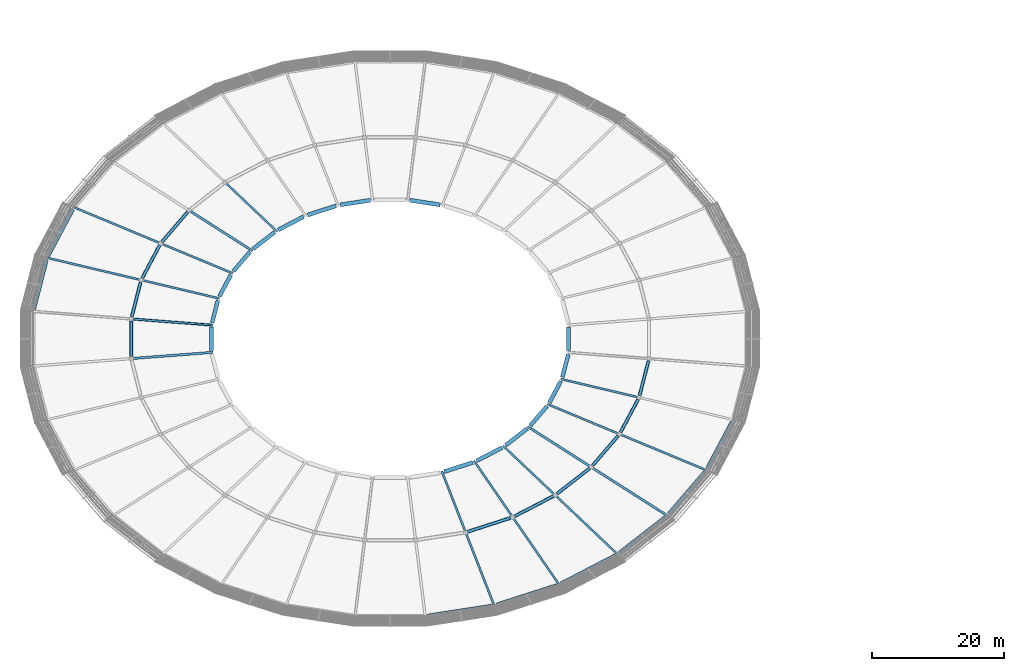
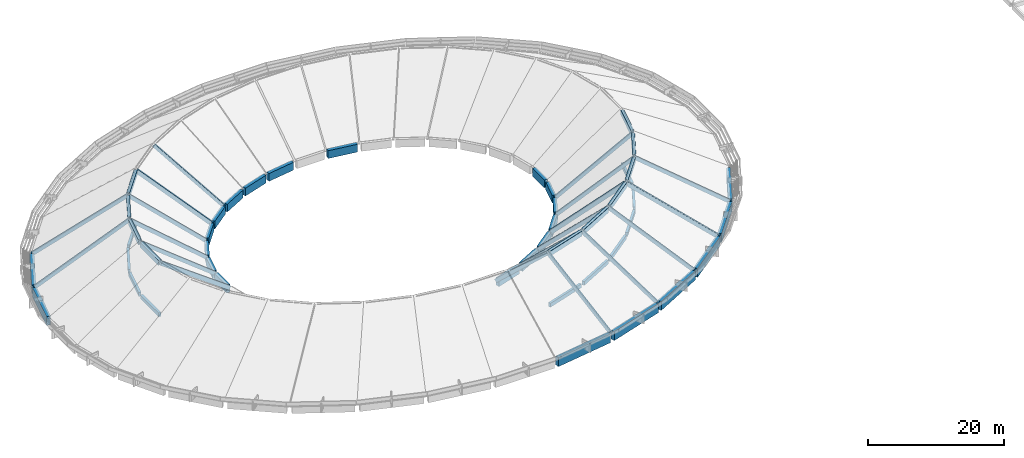
# One storey, part 2 of 15: 63 beams.
"""IFC4 building model written with IfcOpenShell, lengths in metres."""

from ifc_helpers import new_model, si_unit, direction, frame, origin, origin_2d, place, context, subcontext, project, spatial, rectangle, extrude, material, material_profile, profile_set, type_object, element, save


model = new_model("IFC4")

# Units and contexts
model_context = context("Model", 3, precision=1e-05, world=origin(), true_north=direction((0.0, 1.0)))
body_context = subcontext(model_context, "Body", "Model", "MODEL_VIEW")
ifc_project = project(units=[si_unit("LENGTHUNIT", "METRE"), si_unit("AREAUNIT", "SQUARE_METRE"), si_unit("VOLUMEUNIT", "CUBIC_METRE"), si_unit("PLANEANGLEUNIT", "RADIAN"), si_unit("MASSUNIT", "GRAM", prefix="KILO")], contexts=[model_context])

# Site, building, storey
site_placement = place(None, origin())
site = spatial("IfcSite", under=ifc_project, at=site_placement, CompositionType="ELEMENT")
building_placement = place(site_placement, origin())
building = spatial("IfcBuilding", under=site, at=building_placement, Name="Corvandel Quay Wholesale Market", CompositionType="ELEMENT")
storey_placement = place(building_placement, frame((0.0, 0.0, 19.199951171875)))
storey = spatial("IfcBuildingStorey", under=building, at=storey_placement, Name="RF", CompositionType="ELEMENT", Elevation=19.199951171875)

# Beams
ifc_material = material(Name="Precast concrete C45/55", Category="concrete")
ifc_material_profile_1 = material_profile(ifc_material, rectangle(XDim=0.60009765625, YDim=1.39990234375, at=origin_2d()), Name="PC-RING-600x1400")
ifc_profile_set_1 = profile_set([ifc_material_profile_1], Name="Precast concrete C45/55")
beam_type_1 = type_object("IfcBeamType", Name="Inner Yard Shell Ring Beam RB02 600x1400", PredefinedType="USERDEFINED", material=ifc_profile_set_1)
for number, where, z_axis, x_axis, name in (
    (1, (121.559814453125, 62.241943359375, -4.89990234375), (-0.988245423633, 0.15287570987, 0.0), (-0.15287570987, -0.988245423633, 0.0), "Beam BM-0089"),
    (2, (111.02490234375, 62.951171875, -4.89990234375), (-0.988245423633, -0.15287570987, 0.0), (0.15287570987, -0.988245423633, 0.0), "Beam BM-0113"),
):
    element("IfcBeam", number, at=place(storey_placement, frame(where, z_axis=z_axis, x_axis=x_axis)), inside=storey, type_object=beam_type_1, Name=name, ObjectType="GIRDER", PredefinedType="USERDEFINED", context=body_context, shape_type="SweptSolid", body=[
        extrude(rectangle(XDim=0.60009765625, YDim=1.39990234375, at=origin_2d()), origin(), (0.0, 0.0, 1.0), 4.63916015625),
    ])
beam_1_placement = place(storey_placement, frame((105.8193359375, 62.094970703125, -4.89990234375), z_axis=(-0.951794583003, -0.306736159862, 0.0), x_axis=(0.306736159862, -0.951794583003, 0.0)))
element("IfcBeam", 3, at=beam_1_placement, inside=storey, type_object=beam_type_1, Name="Beam BM-0125", ObjectType="GIRDER", PredefinedType="USERDEFINED", context=body_context, shape_type="SweptSolid", body=[
    extrude(rectangle(XDim=0.60009765625, YDim=1.39990234375, at=origin_2d()), origin(), (0.0, 0.0, 1.0), 4.521728515625),
])
beam_2_placement = place(storey_placement, frame((100.927001953125, 60.46240234375, -4.89990234375), z_axis=(-0.887348372729, -0.461099626346, 0.0), x_axis=(0.461099626346, -0.887348372729, 0.0)))
element("IfcBeam", 4, at=beam_2_placement, inside=storey, type_object=beam_type_1, Name="Beam BM-0138", ObjectType="GIRDER", PredefinedType="USERDEFINED", context=body_context, shape_type="SweptSolid", body=[
    extrude(rectangle(XDim=0.60009765625, YDim=1.39990234375, at=origin_2d()), origin(), (0.0, 0.0, 1.0), 4.34326171875),
])
beam_3_placement = place(storey_placement, frame((96.536376953125, 58.115478515625, -4.89990234375), z_axis=(-0.789393650458, -0.6138873387, 0.0), x_axis=(0.6138873387, -0.789393650458, 0.0)))
element("IfcBeam", 5, at=beam_3_placement, inside=storey, type_object=beam_type_1, Name="Beam BM-0151", ObjectType="GIRDER", PredefinedType="USERDEFINED", context=body_context, shape_type="SweptSolid", body=[
    extrude(rectangle(XDim=0.60009765625, YDim=1.39990234375, at=origin_2d()), origin(), (0.0, 0.0, 1.0), 4.12451171875),
])
beam_4_placement = place(storey_placement, frame((92.819580078125, 55.144287109375, -4.89990234375), z_axis=(-0.651616884039, -0.758548242655, 0.0), x_axis=(0.758548242655, -0.651616884039, 0.0)))
element("IfcBeam", 6, at=beam_4_placement, inside=storey, type_object=beam_type_1, Name="Beam BM-0164", ObjectType="GIRDER", PredefinedType="USERDEFINED", context=body_context, shape_type="SweptSolid", body=[
    extrude(rectangle(XDim=0.60009765625, YDim=1.39990234375, at=origin_2d()), origin(), (0.0, 0.0, 1.0), 3.89501953125),
])
beam_5_placement = place(storey_placement, frame((89.922607421875, 51.66455078125, -4.89990234375), z_axis=(-0.469959676706, -0.882687884969, 0.0), x_axis=(0.882687884969, -0.469959676706, 0.0)))
element("IfcBeam", 7, at=beam_5_placement, inside=storey, type_object=beam_type_1, Name="Beam BM-0177", ObjectType="GIRDER", PredefinedType="USERDEFINED", context=body_context, shape_type="SweptSolid", body=[
    extrude(rectangle(XDim=0.60009765625, YDim=1.39990234375, at=origin_2d()), origin(), (0.0, 0.0, 1.0), 3.68994140625),
])
beam_6_placement = place(storey_placement, frame((87.958740234375, 47.81494140625, -4.89990234375), z_axis=(-0.247875307866, -0.968791944512, 0.0), x_axis=(0.968791944512, -0.247875307866, 0.0)))
element("IfcBeam", 8, at=beam_6_placement, inside=storey, type_object=beam_type_1, Name="Beam BM-0190", ObjectType="GIRDER", PredefinedType="USERDEFINED", context=body_context, shape_type="SweptSolid", body=[
    extrude(rectangle(XDim=0.60009765625, YDim=1.39990234375, at=origin_2d()), origin(), (0.0, 0.0, 1.0), 3.547607421875),
])
beam_7_placement = place(storey_placement, frame((87.0, 43.748046875, -4.89990234375), z_axis=(0.0, -1.0, 0.0), x_axis=(1.0, 0.0, 0.0)))
element("IfcBeam", 9, at=beam_7_placement, inside=storey, type_object=beam_type_1, Name="Beam BM-0203", ObjectType="GIRDER", PredefinedType="USERDEFINED", context=body_context, shape_type="SweptSolid", body=[
    extrude(rectangle(XDim=0.60009765625, YDim=1.39990234375, at=origin_2d()), origin(), (0.0, 0.0, 1.0), 3.49609375),
])
beam_8_placement = place(storey_placement, frame((122.1806640625, 21.905029296875, -4.89990234375), z_axis=(0.951794583003, 0.306736159862, 0.0), x_axis=(-0.306736159862, 0.951794583003, 0.0)))
element("IfcBeam", 10, at=beam_8_placement, inside=storey, type_object=beam_type_1, Name="Beam BM-0320", ObjectType="GIRDER", PredefinedType="USERDEFINED", context=body_context, shape_type="SweptSolid", body=[
    extrude(rectangle(XDim=0.60009765625, YDim=1.39990234375, at=origin_2d()), origin(), (0.0, 0.0, 1.0), 4.521728515625),
])
beam_9_placement = place(storey_placement, frame((127.072998046875, 23.53759765625, -4.89990234375), z_axis=(0.887348372729, 0.461099626346, 0.0), x_axis=(-0.461099626346, 0.887348372729, 0.0)))
element("IfcBeam", 11, at=beam_9_placement, inside=storey, type_object=beam_type_1, Name="Beam BM-0332", ObjectType="GIRDER", PredefinedType="USERDEFINED", context=body_context, shape_type="SweptSolid", body=[
    extrude(rectangle(XDim=0.60009765625, YDim=1.39990234375, at=origin_2d()), origin(), (0.0, 0.0, 1.0), 4.34326171875),
])
beam_10_placement = place(storey_placement, frame((131.463623046875, 25.884521484375, -4.89990234375), z_axis=(0.789393650458, 0.6138873387, 0.0), x_axis=(-0.6138873387, 0.789393650458, 0.0)))
element("IfcBeam", 12, at=beam_10_placement, inside=storey, type_object=beam_type_1, Name="Beam BM-0344", ObjectType="GIRDER", PredefinedType="USERDEFINED", context=body_context, shape_type="SweptSolid", body=[
    extrude(rectangle(XDim=0.60009765625, YDim=1.39990234375, at=origin_2d()), origin(), (0.0, 0.0, 1.0), 4.12451171875),
])
beam_11_placement = place(storey_placement, frame((135.180419921875, 28.855712890625, -4.89990234375), z_axis=(0.651616884039, 0.758548242655, 0.0), x_axis=(-0.758548242655, 0.651616884039, 0.0)))
element("IfcBeam", 13, at=beam_11_placement, inside=storey, type_object=beam_type_1, Name="Beam BM-0356", ObjectType="GIRDER", PredefinedType="USERDEFINED", context=body_context, shape_type="SweptSolid", body=[
    extrude(rectangle(XDim=0.60009765625, YDim=1.39990234375, at=origin_2d()), origin(), (0.0, 0.0, 1.0), 3.89501953125),
])
beam_12_placement = place(storey_placement, frame((138.077392578125, 32.33544921875, -4.89990234375), z_axis=(0.469959676706, 0.882687884969, 0.0), x_axis=(-0.882687884969, 0.469959676706, 0.0)))
element("IfcBeam", 14, at=beam_12_placement, inside=storey, type_object=beam_type_1, Name="Beam BM-0368", ObjectType="GIRDER", PredefinedType="USERDEFINED", context=body_context, shape_type="SweptSolid", body=[
    extrude(rectangle(XDim=0.60009765625, YDim=1.39990234375, at=origin_2d()), origin(), (0.0, 0.0, 1.0), 3.68994140625),
])
beam_13_placement = place(storey_placement, frame((140.041259765625, 36.18505859375, -4.89990234375), z_axis=(0.247875307866, 0.968791944512, 0.0), x_axis=(-0.968791944512, 0.247875307866, 0.0)))
element("IfcBeam", 15, at=beam_13_placement, inside=storey, type_object=beam_type_1, Name="Beam BM-0380", ObjectType="GIRDER", PredefinedType="USERDEFINED", context=body_context, shape_type="SweptSolid", body=[
    extrude(rectangle(XDim=0.60009765625, YDim=1.39990234375, at=origin_2d()), origin(), (0.0, 0.0, 1.0), 3.547607421875),
])
beam_14_placement = place(storey_placement, frame((141.0, 40.251953125, -4.89990234375), z_axis=(0.0, 1.0, 0.0), x_axis=(-1.0, 0.0, 0.0)))
element("IfcBeam", 16, at=beam_14_placement, inside=storey, type_object=beam_type_1, Name="Beam BM-0392", ObjectType="GIRDER", PredefinedType="USERDEFINED", context=body_context, shape_type="SweptSolid", body=[
    extrude(rectangle(XDim=0.60009765625, YDim=1.39990234375, at=origin_2d()), origin(), (0.0, 0.0, 1.0), 3.49609375),
])
ifc_material_profile_2 = material_profile(ifc_material, rectangle(XDim=0.64990234375, YDim=1.60009765625, at=origin_2d()), Name="PC-RING-650x1600")
ifc_profile_set_2 = profile_set([ifc_material_profile_2], Name="Precast concrete C45/55")
beam_type_2 = type_object("IfcBeamType", Name="Outer Elliptical Shell Ring Beam RB01 650x1600", PredefinedType="USERDEFINED", material=ifc_profile_set_2)
beam_15_placement = place(storey_placement, frame((65.98388671875, 61.589599609375, -5.0), z_axis=(-0.470101631757, -0.882612290771, 0.0), x_axis=(0.882612290771, -0.470101631757, 0.0)))
element("IfcBeam", 17, at=beam_15_placement, inside=storey, type_object=beam_type_2, Name="Beam BM-0176", ObjectType="GIRDER", PredefinedType="USERDEFINED", context=body_context, shape_type="SweptSolid", body=[
    extrude(rectangle(XDim=0.64990234375, YDim=1.60009765625, at=origin_2d()), origin(), (0.0, 0.0, 1.0), 7.9697265625),
])
beam_16_placement = place(storey_placement, frame((61.989501953125, 53.916748046875, -5.0), z_axis=(-0.247756974273, -0.968822213669, 0.0), x_axis=(0.968822213669, -0.247756974273, 0.0)))
element("IfcBeam", 18, at=beam_16_placement, inside=storey, type_object=beam_type_2, Name="Beam BM-0189", ObjectType="GIRDER", PredefinedType="USERDEFINED", context=body_context, shape_type="SweptSolid", body=[
    extrude(rectangle(XDim=0.64990234375, YDim=1.60009765625, at=origin_2d()), origin(), (0.0, 0.0, 1.0), 7.68505859375),
])
beam_17_placement = place(storey_placement, frame((119.659912109375, 0.052734375, -5.0), z_axis=(0.988241749204, 0.152899460859, 0.0), x_axis=(-0.152899460859, 0.988241749204, 0.0)))
element("IfcBeam", 19, at=beam_17_placement, inside=storey, type_object=beam_type_2, Name="Beam BM-0308", ObjectType="GIRDER", PredefinedType="USERDEFINED", context=body_context, shape_type="SweptSolid", body=[
    extrude(rectangle(XDim=0.64990234375, YDim=1.60009765625, at=origin_2d()), origin(), (0.0, 0.0, 1.0), 9.8662109375),
])
beam_18_placement = place(storey_placement, frame((130.079345703125, 1.7197265625, -5.0), z_axis=(0.951825090042, 0.306641481158, 0.0), x_axis=(-0.306641481158, 0.951825090042, 0.0)))
element("IfcBeam", 20, at=beam_18_placement, inside=storey, type_object=beam_type_2, Name="Beam BM-0319", ObjectType="GIRDER", PredefinedType="USERDEFINED", context=body_context, shape_type="SweptSolid", body=[
    extrude(rectangle(XDim=0.64990234375, YDim=1.60009765625, at=origin_2d()), origin(), (0.0, 0.0, 1.0), 9.63525390625),
])
beam_19_placement = place(storey_placement, frame((139.885009765625, 4.939208984375, -5.0), z_axis=(0.887349906091, 0.461096675503, 0.0), x_axis=(-0.461096675503, 0.887349906091, 0.0)))
element("IfcBeam", 21, at=beam_19_placement, inside=storey, type_object=beam_type_2, Name="Beam BM-0331", ObjectType="GIRDER", PredefinedType="USERDEFINED", context=body_context, shape_type="SweptSolid", body=[
    extrude(rectangle(XDim=0.64990234375, YDim=1.60009765625, at=origin_2d()), origin(), (0.0, 0.0, 1.0), 9.277099609375),
])
beam_20_placement = place(storey_placement, frame((148.6953125, 9.587890625, -5.0), z_axis=(0.789326934586, 0.613973118578, 0.0), x_axis=(-0.613973118578, 0.789326934586, 0.0)))
element("IfcBeam", 22, at=beam_20_placement, inside=storey, type_object=beam_type_2, Name="Beam BM-0343", ObjectType="GIRDER", PredefinedType="USERDEFINED", context=body_context, shape_type="SweptSolid", body=[
    extrude(rectangle(XDim=0.64990234375, YDim=1.60009765625, at=origin_2d()), origin(), (0.0, 0.0, 1.0), 8.839599609375),
])
beam_21_placement = place(storey_placement, frame((156.169921875, 15.48876953125, -5.0), z_axis=(0.651594924137, 0.758567106352, 0.0), x_axis=(-0.758567106352, 0.651594924137, 0.0)))
element("IfcBeam", 23, at=beam_21_placement, inside=storey, type_object=beam_type_2, Name="Beam BM-0355", ObjectType="GIRDER", PredefinedType="USERDEFINED", context=body_context, shape_type="SweptSolid", body=[
    extrude(rectangle(XDim=0.64990234375, YDim=1.60009765625, at=origin_2d()), origin(), (0.0, 0.0, 1.0), 8.378173828125),
])
beam_22_placement = place(storey_placement, frame((162.01611328125, 22.410400390625, -5.0), z_axis=(0.470101631757, 0.882612290771, 0.0), x_axis=(-0.882612290771, 0.470101631757, 0.0)))
element("IfcBeam", 24, at=beam_22_placement, inside=storey, type_object=beam_type_2, Name="Beam BM-0367", ObjectType="GIRDER", PredefinedType="USERDEFINED", context=body_context, shape_type="SweptSolid", body=[
    extrude(rectangle(XDim=0.64990234375, YDim=1.60009765625, at=origin_2d()), origin(), (0.0, 0.0, 1.0), 7.9697265625),
])
ifc_material_profile_3 = material_profile(ifc_material, rectangle(XDim=0.35009765625, YDim=0.699951171875, at=origin_2d()), Name="PC-RIB-350x700")
ifc_profile_set_3 = profile_set([ifc_material_profile_3], Name="Precast concrete C45/55")
beam_type_3 = type_object("IfcBeamType", Name="Primary Radial Shell Arch Rib AR01 350x700", PredefinedType="BEAM", material=ifc_profile_set_3)
beam_23_placement = place(storey_placement, frame((93.028076171875, 55.386962890625, -4.52001953125), z_axis=(-0.649566941782, 0.41459503134, 0.637317619506), x_axis=(-0.538015015457, -0.842935254419, 0.0)))
element("IfcBeam", 25, at=beam_23_placement, inside=storey, type_object=beam_type_3, Name="Beam BM-0432", PredefinedType="BEAM", context=body_context, shape_type="SweptSolid", body=[
    extrude(rectangle(XDim=0.35009765625, YDim=0.699951171875, at=origin_2d()), origin(), (0.0, 0.0, 1.0), 14.529541015625),
])
beam_24_placement = place(storey_placement, frame((87.0, 39.931884765625, -4.52001953125), z_axis=(-0.793866285191, -0.060824903457, 0.605042686392), x_axis=(0.076394669191, -0.997077657216, 0.0)))
element("IfcBeam", 26, at=beam_24_placement, inside=storey, type_object=beam_type_3, Name="Beam BM-0444", PredefinedType="BEAM", context=body_context, shape_type="SweptSolid", body=[
    extrude(rectangle(XDim=0.35009765625, YDim=0.699951171875, at=origin_2d()), origin(), (0.0, 0.0, 1.0), 15.3046875),
])
beam_25_placement = place(storey_placement, frame((155.945068359375, 15.22705078125, -4.52001953125), z_axis=(-0.698129767083, 0.445566016051, 0.560433540799), x_axis=(-0.537993647412, -0.842948892486, 0.0)))
element("IfcBeam", 27, at=beam_25_placement, inside=storey, type_object=beam_type_3, Name="Beam BM-0479", PredefinedType="BEAM", context=body_context, shape_type="SweptSolid", body=[
    extrude(rectangle(XDim=0.35009765625, YDim=0.699951171875, at=origin_2d()), origin(), (0.0, 0.0, 1.0), 16.52294921875),
])
beam_26_placement = place(storey_placement, frame((134.971923828125, 28.613037109375, -4.52001953125), z_axis=(0.649566941782, -0.41459503134, 0.637317619506), x_axis=(0.538015015457, 0.842935254419, 0.0)))
element("IfcBeam", 28, at=beam_26_placement, inside=storey, type_object=beam_type_3, Name="Beam BM-0480", PredefinedType="BEAM", context=body_context, shape_type="SweptSolid", body=[
    extrude(rectangle(XDim=0.35009765625, YDim=0.699951171875, at=origin_2d()), origin(), (0.0, 0.0, 1.0), 14.529541015625),
])
ifc_material_profile_4 = material_profile(ifc_material, rectangle(XDim=0.39990234375, YDim=0.699951171875, at=origin_2d()), Name="PC-GIR-400x700")
ifc_profile_set_4 = profile_set([ifc_material_profile_4], Name="Precast concrete C45/55")
beam_type_4 = type_object("IfcBeamType", Name="Roof Deck Primary Girder G07 400x700", PredefinedType="USERDEFINED", material=ifc_profile_set_4)
beam_27_placement = place(storey_placement, frame((83.381591796875, 61.168212890625, -4.75), z_axis=(-0.651563389062, -0.758594193251, 0.0), x_axis=(0.758594193251, -0.651563389062, 0.0)))
element("IfcBeam", 29, at=beam_27_placement, inside=storey, type_object=beam_type_4, Name="Beam BM-0165", ObjectType="GIRDER", PredefinedType="USERDEFINED", context=body_context, shape_type="SweptSolid", body=[
    extrude(rectangle(XDim=0.39990234375, YDim=0.699951171875, at=origin_2d()), origin(), (0.0, 0.0, 1.0), 5.935302734375),
])
beam_28_placement = place(storey_placement, frame((79.155517578125, 56.140625, -4.75), z_axis=(-0.470050984637, -0.882639264842, 0.0), x_axis=(0.882639264842, -0.470050984637, 0.0)))
element("IfcBeam", 30, at=beam_28_placement, inside=storey, type_object=beam_type_4, Name="Beam BM-0178", ObjectType="GIRDER", PredefinedType="USERDEFINED", context=body_context, shape_type="SweptSolid", body=[
    extrude(rectangle(XDim=0.39990234375, YDim=0.699951171875, at=origin_2d()), origin(), (0.0, 0.0, 1.0), 5.637939453125),
])
beam_29_placement = place(storey_placement, frame((76.275634765625, 50.572021484375, -4.75), z_axis=(-0.247850907056, -0.96879818738, 0.0), x_axis=(0.96879818738, -0.247850907056, 0.0)))
element("IfcBeam", 31, at=beam_29_placement, inside=storey, type_object=beam_type_4, Name="Beam BM-0191", ObjectType="GIRDER", PredefinedType="USERDEFINED", context=body_context, shape_type="SweptSolid", body=[
    extrude(rectangle(XDim=0.39990234375, YDim=0.699951171875, at=origin_2d()), origin(), (0.0, 0.0, 1.0), 5.432373046875),
])
beam_30_placement = place(storey_placement, frame((74.85009765625, 44.678955078125, -4.75), z_axis=(0.0, -1.0, 0.0), x_axis=(1.0, 0.0, 0.0)))
element("IfcBeam", 32, at=beam_30_placement, inside=storey, type_object=beam_type_4, Name="Beam BM-0204", ObjectType="GIRDER", PredefinedType="USERDEFINED", context=body_context, shape_type="SweptSolid", body=[
    extrude(rectangle(XDim=0.39990234375, YDim=0.699951171875, at=origin_2d()), origin(), (0.0, 0.0, 1.0), 5.35791015625),
])
beam_31_placement = place(storey_placement, frame((125.724609375, 12.818115234375, -4.75), z_axis=(0.951792624753, 0.306742236195, 0.0), x_axis=(-0.306742236195, 0.951792624753, 0.0)))
element("IfcBeam", 33, at=beam_31_placement, inside=storey, type_object=beam_type_4, Name="Beam BM-0321", ObjectType="GIRDER", PredefinedType="USERDEFINED", context=body_context, shape_type="SweptSolid", body=[
    extrude(rectangle(XDim=0.39990234375, YDim=0.699951171875, at=origin_2d()), origin(), (0.0, 0.0, 1.0), 6.844970703125),
])
beam_32_placement = place(storey_placement, frame((132.827880859375, 15.16357421875, -4.75), z_axis=(0.88738119792, 0.461036451463, 0.0), x_axis=(-0.461036451463, 0.88738119792, 0.0)))
element("IfcBeam", 34, at=beam_32_placement, inside=storey, type_object=beam_type_4, Name="Beam BM-0333", ObjectType="GIRDER", PredefinedType="USERDEFINED", context=body_context, shape_type="SweptSolid", body=[
    extrude(rectangle(XDim=0.39990234375, YDim=0.699951171875, at=origin_2d()), origin(), (0.0, 0.0, 1.0), 6.587158203125),
])
beam_33_placement = place(storey_placement, frame((139.209716796875, 18.54443359375, -4.75), z_axis=(0.789360606532, 0.613929827305, 0.0), x_axis=(-0.613929827305, 0.789360606532, 0.0)))
element("IfcBeam", 35, at=beam_33_placement, inside=storey, type_object=beam_type_4, Name="Beam BM-0345", ObjectType="GIRDER", PredefinedType="USERDEFINED", context=body_context, shape_type="SweptSolid", body=[
    extrude(rectangle(XDim=0.39990234375, YDim=0.699951171875, at=origin_2d()), origin(), (0.0, 0.0, 1.0), 6.26806640625),
])
beam_34_placement = place(storey_placement, frame((144.618408203125, 22.831787109375, -4.75), z_axis=(0.651563389062, 0.758594193251, 0.0), x_axis=(-0.758594193251, 0.651563389062, 0.0)))
element("IfcBeam", 36, at=beam_34_placement, inside=storey, type_object=beam_type_4, Name="Beam BM-0357", ObjectType="GIRDER", PredefinedType="USERDEFINED", context=body_context, shape_type="SweptSolid", body=[
    extrude(rectangle(XDim=0.39990234375, YDim=0.699951171875, at=origin_2d()), origin(), (0.0, 0.0, 1.0), 5.935302734375),
])
beam_35_placement = place(storey_placement, frame((148.844482421875, 27.859375, -4.75), z_axis=(0.470050984637, 0.882639264842, 0.0), x_axis=(-0.882639264842, 0.470050984637, 0.0)))
element("IfcBeam", 37, at=beam_35_placement, inside=storey, type_object=beam_type_4, Name="Beam BM-0369", ObjectType="GIRDER", PredefinedType="USERDEFINED", context=body_context, shape_type="SweptSolid", body=[
    extrude(rectangle(XDim=0.39990234375, YDim=0.699951171875, at=origin_2d()), origin(), (0.0, 0.0, 1.0), 5.637939453125),
])
beam_36_placement = place(storey_placement, frame((151.724365234375, 33.427978515625, -4.75), z_axis=(0.247850907056, 0.96879818738, 0.0), x_axis=(-0.96879818738, 0.247850907056, 0.0)))
element("IfcBeam", 38, at=beam_36_placement, inside=storey, type_object=beam_type_4, Name="Beam BM-0381", ObjectType="GIRDER", PredefinedType="USERDEFINED", context=body_context, shape_type="SweptSolid", body=[
    extrude(rectangle(XDim=0.39990234375, YDim=0.699951171875, at=origin_2d()), origin(), (0.0, 0.0, 1.0), 5.432373046875),
])
ifc_material_profile_5 = material_profile(ifc_material, rectangle(XDim=0.300048828125, YDim=0.60009765625, at=origin_2d()), Name="PC-RIB-300x600")
ifc_profile_set_5 = profile_set([ifc_material_profile_5], Name="Precast concrete C45/55")
beam_type_5 = type_object("IfcBeamType", Name="Secondary Radial Shell Arch Rib AR02 300x600", PredefinedType="BEAM", material=ifc_profile_set_5)
beam_37_placement = place(storey_placement, frame((96.7890625, 58.31201171875, -4.469970703125), z_axis=(-0.548243512081, 0.519507727897, 0.655393600912), x_axis=(-0.687827772453, -0.725873925308, 0.0)))
element("IfcBeam", 39, at=beam_37_placement, inside=storey, type_object=beam_type_5, Name="Beam BM-0429", PredefinedType="BEAM", context=body_context, shape_type="SweptSolid", body=[
    extrude(rectangle(XDim=0.300048828125, YDim=0.60009765625, at=origin_2d()), origin(), (0.0, 0.0, 1.0), 14.12890625),
])
beam_38_placement = place(storey_placement, frame((66.14599609375, 61.89404296875, -4.469970703125), z_axis=(0.774296921555, -0.321897106193, 0.544836241724), x_axis=(0.383876927754, 0.923384266889, 0.0)))
element("IfcBeam", 40, at=beam_38_placement, inside=storey, type_object=beam_type_5, Name="Beam BM-0434", PredefinedType="BEAM", context=body_context, shape_type="SweptSolid", body=[
    extrude(rectangle(XDim=0.300048828125, YDim=0.60009765625, at=origin_2d()), origin(), (0.0, 0.0, 1.0), 16.995849609375),
])
beam_39_placement = place(storey_placement, frame((90.072998046875, 51.947021484375, -4.469970703125), z_axis=(-0.723106920211, 0.300608640768, 0.621892938567), x_axis=(-0.383868940752, -0.923387587271, 0.0)))
element("IfcBeam", 41, at=beam_39_placement, inside=storey, type_object=beam_type_5, Name="Beam BM-0435", PredefinedType="BEAM", context=body_context, shape_type="SweptSolid", body=[
    extrude(rectangle(XDim=0.300048828125, YDim=0.60009765625, at=origin_2d()), origin(), (0.0, 0.0, 1.0), 14.89013671875),
])
beam_40_placement = place(storey_placement, frame((62.074951171875, 54.2509765625, -4.469970703125), z_axis=(0.823064672191, -0.194174649289, 0.533723477997), x_axis=(0.22961339626, 0.973281916126, 0.0)))
element("IfcBeam", 42, at=beam_40_placement, inside=storey, type_object=beam_type_5, Name="Beam BM-0437", PredefinedType="BEAM", context=body_context, shape_type="SweptSolid", body=[
    extrude(rectangle(XDim=0.300048828125, YDim=0.60009765625, at=origin_2d()), origin(), (0.0, 0.0, 1.0), 17.349853515625),
])
beam_41_placement = place(storey_placement, frame((88.0380859375, 48.125, -4.469970703125), z_axis=(-0.770622170488, 0.181858071871, 0.610793837598), x_axis=(-0.229679772076, -0.973266254577, 0.0)))
element("IfcBeam", 43, at=beam_41_placement, inside=storey, type_object=beam_type_5, Name="Beam BM-0438", PredefinedType="BEAM", context=body_context, shape_type="SweptSolid", body=[
    extrude(rectangle(XDim=0.300048828125, YDim=0.60009765625, at=origin_2d()), origin(), (0.0, 0.0, 1.0), 15.16064453125),
])
beam_42_placement = place(storey_placement, frame((87.0, 44.068115234375, -4.469970703125), z_axis=(-0.793866285191, 0.060824903457, 0.605042686392), x_axis=(-0.076394669191, -0.997077657216, 0.0)))
element("IfcBeam", 44, at=beam_42_placement, inside=storey, type_object=beam_type_5, Name="Beam BM-0441", PredefinedType="BEAM", context=body_context, shape_type="SweptSolid", body=[
    extrude(rectangle(XDim=0.300048828125, YDim=0.60009765625, at=origin_2d()), origin(), (0.0, 0.0, 1.0), 15.3046875),
])
beam_43_placement = place(storey_placement, frame((129.7509765625, 1.614013671875, -4.469970703125), z_axis=(-0.286926700723, 0.735755107998, 0.613463519263), x_axis=(-0.931662181127, -0.363325721987, 0.0)))
element("IfcBeam", 45, at=beam_43_placement, inside=storey, type_object=beam_type_5, Name="Beam BM-0470", PredefinedType="BEAM", context=body_context, shape_type="SweptSolid", body=[
    extrude(rectangle(XDim=0.300048828125, YDim=0.60009765625, at=origin_2d()), origin(), (0.0, 0.0, 1.0), 15.0947265625),
])
beam_44_placement = place(storey_placement, frame((121.8759765625, 21.806884765625, -4.469970703125), z_axis=(0.263507228682, -0.675650251553, 0.688520644577), x_axis=(0.931652860438, 0.363349621766, 0.0)))
element("IfcBeam", 46, at=beam_44_placement, inside=storey, type_object=beam_type_5, Name="Beam BM-0471", PredefinedType="BEAM", context=body_context, shape_type="SweptSolid", body=[
    extrude(rectangle(XDim=0.300048828125, YDim=0.60009765625, at=origin_2d()), origin(), (0.0, 0.0, 1.0), 13.44921875),
])
beam_45_placement = place(storey_placement, frame((139.5791015625, 4.780029296875, -4.469970703125), z_axis=(-0.454099768617, 0.66071075093, 0.597707874926), x_axis=(-0.824122782292, -0.566411193134, 0.0)))
element("IfcBeam", 47, at=beam_45_placement, inside=storey, type_object=beam_type_5, Name="Beam BM-0473", PredefinedType="BEAM", context=body_context, shape_type="SweptSolid", body=[
    extrude(rectangle(XDim=0.300048828125, YDim=0.60009765625, at=origin_2d()), origin(), (0.0, 0.0, 1.0), 15.492431640625),
])
beam_46_placement = place(storey_placement, frame((126.7890625, 23.389892578125, -4.469970703125), z_axis=(0.418620928188, -0.6091243516, 0.673590411727), x_axis=(0.824137960807, 0.566389107908, 0.0)))
element("IfcBeam", 48, at=beam_46_placement, inside=storey, type_object=beam_type_5, Name="Beam BM-0474", PredefinedType="BEAM", context=body_context, shape_type="SweptSolid", body=[
    extrude(rectangle(XDim=0.300048828125, YDim=0.60009765625, at=origin_2d()), origin(), (0.0, 0.0, 1.0), 13.747314453125),
])
beam_47_placement = place(storey_placement, frame((148.423095703125, 9.3759765625, -4.469970703125), z_axis=(-0.591802925722, 0.560910058994, 0.578920722402), x_axis=(-0.687909221922, -0.72579673628, 0.0)))
element("IfcBeam", 49, at=beam_47_placement, inside=storey, type_object=beam_type_5, Name="Beam BM-0476", PredefinedType="BEAM", context=body_context, shape_type="SweptSolid", body=[
    extrude(rectangle(XDim=0.300048828125, YDim=0.60009765625, at=origin_2d()), origin(), (0.0, 0.0, 1.0), 15.995361328125),
])
beam_48_placement = place(storey_placement, frame((131.2109375, 25.68798828125, -4.469970703125), z_axis=(0.548243512081, -0.519507727897, 0.655393600912), x_axis=(0.687827772453, 0.725873925308, 0.0)))
element("IfcBeam", 50, at=beam_48_placement, inside=storey, type_object=beam_type_5, Name="Beam BM-0477", PredefinedType="BEAM", context=body_context, shape_type="SweptSolid", body=[
    extrude(rectangle(XDim=0.300048828125, YDim=0.60009765625, at=origin_2d()), origin(), (0.0, 0.0, 1.0), 14.12890625),
])
beam_49_placement = place(storey_placement, frame((161.85400390625, 22.10595703125, -4.469970703125), z_axis=(-0.774296921555, 0.321897106193, 0.544836241724), x_axis=(-0.383876927754, -0.923384266889, 0.0)))
element("IfcBeam", 51, at=beam_49_placement, inside=storey, type_object=beam_type_5, Name="Beam BM-0482", PredefinedType="BEAM", context=body_context, shape_type="SweptSolid", body=[
    extrude(rectangle(XDim=0.300048828125, YDim=0.60009765625, at=origin_2d()), origin(), (0.0, 0.0, 1.0), 16.995849609375),
])
beam_50_placement = place(storey_placement, frame((137.927001953125, 32.052978515625, -4.469970703125), z_axis=(0.723106920211, -0.300608640768, 0.621892938567), x_axis=(0.383868940752, 0.923387587271, 0.0)))
element("IfcBeam", 52, at=beam_50_placement, inside=storey, type_object=beam_type_5, Name="Beam BM-0483", PredefinedType="BEAM", context=body_context, shape_type="SweptSolid", body=[
    extrude(rectangle(XDim=0.300048828125, YDim=0.60009765625, at=origin_2d()), origin(), (0.0, 0.0, 1.0), 14.89013671875),
])
beam_51_placement = place(storey_placement, frame((139.9619140625, 35.875, -4.469970703125), z_axis=(0.770622170488, -0.181858071871, 0.610793837598), x_axis=(0.229679772076, 0.973266254577, 0.0)))
element("IfcBeam", 53, at=beam_51_placement, inside=storey, type_object=beam_type_5, Name="Beam BM-0486", PredefinedType="BEAM", context=body_context, shape_type="SweptSolid", body=[
    extrude(rectangle(XDim=0.300048828125, YDim=0.60009765625, at=origin_2d()), origin(), (0.0, 0.0, 1.0), 15.16064453125),
])
ifc_material_profile_6 = material_profile(ifc_material, rectangle(XDim=0.5, YDim=0.89990234375, at=origin_2d()), Name="PC-RING-500x900")
ifc_profile_set_6 = profile_set([ifc_material_profile_6], Name="Precast concrete C45/55")
beam_type_6 = type_object("IfcBeamType", Name="Shell Crown Compression Ring RB03 500x900", PredefinedType="USERDEFINED", material=ifc_profile_set_6)
beam_52_placement = place(storey_placement, frame((83.381591796875, 61.168212890625, 4.610107421875), z_axis=(-0.651563389062, -0.758594193251, 0.0), x_axis=(0.758594193251, -0.651563389062, 0.0)))
element("IfcBeam", 54, at=beam_52_placement, inside=storey, type_object=beam_type_6, Name="Beam BM-0430", ObjectType="GIRDER", PredefinedType="USERDEFINED", context=body_context, shape_type="SweptSolid", body=[
    extrude(rectangle(XDim=0.5, YDim=0.89990234375, at=origin_2d()), origin(), (0.0, 0.0, 1.0), 5.935302734375),
])
beam_53_placement = place(storey_placement, frame((79.155517578125, 56.140625, 4.610107421875), z_axis=(-0.470050984637, -0.882639264842, 0.0), x_axis=(0.882639264842, -0.470050984637, 0.0)))
element("IfcBeam", 55, at=beam_53_placement, inside=storey, type_object=beam_type_6, Name="Beam BM-0433", ObjectType="GIRDER", PredefinedType="USERDEFINED", context=body_context, shape_type="SweptSolid", body=[
    extrude(rectangle(XDim=0.5, YDim=0.89990234375, at=origin_2d()), origin(), (0.0, 0.0, 1.0), 5.637939453125),
])
beam_54_placement = place(storey_placement, frame((76.275634765625, 50.572021484375, 4.610107421875), z_axis=(-0.247850907056, -0.96879818738, 0.0), x_axis=(0.96879818738, -0.247850907056, 0.0)))
element("IfcBeam", 56, at=beam_54_placement, inside=storey, type_object=beam_type_6, Name="Beam BM-0436", ObjectType="GIRDER", PredefinedType="USERDEFINED", context=body_context, shape_type="SweptSolid", body=[
    extrude(rectangle(XDim=0.5, YDim=0.89990234375, at=origin_2d()), origin(), (0.0, 0.0, 1.0), 5.432373046875),
])
beam_55_placement = place(storey_placement, frame((74.85009765625, 44.678955078125, 4.610107421875), z_axis=(0.0, -1.0, 0.0), x_axis=(1.0, 0.0, 0.0)))
element("IfcBeam", 57, at=beam_55_placement, inside=storey, type_object=beam_type_6, Name="Beam BM-0439", ObjectType="GIRDER", PredefinedType="USERDEFINED", context=body_context, shape_type="SweptSolid", body=[
    extrude(rectangle(XDim=0.5, YDim=0.89990234375, at=origin_2d()), origin(), (0.0, 0.0, 1.0), 5.35791015625),
])
beam_56_placement = place(storey_placement, frame((125.724609375, 12.818115234375, 4.610107421875), z_axis=(0.951792624753, 0.306742236195, 0.0), x_axis=(-0.306742236195, 0.951792624753, 0.0)))
element("IfcBeam", 58, at=beam_56_placement, inside=storey, type_object=beam_type_6, Name="Beam BM-0469", ObjectType="GIRDER", PredefinedType="USERDEFINED", context=body_context, shape_type="SweptSolid", body=[
    extrude(rectangle(XDim=0.5, YDim=0.89990234375, at=origin_2d()), origin(), (0.0, 0.0, 1.0), 6.844970703125),
])
beam_57_placement = place(storey_placement, frame((132.827880859375, 15.16357421875, 4.610107421875), z_axis=(0.88738119792, 0.461036451463, 0.0), x_axis=(-0.461036451463, 0.88738119792, 0.0)))
element("IfcBeam", 59, at=beam_57_placement, inside=storey, type_object=beam_type_6, Name="Beam BM-0472", ObjectType="GIRDER", PredefinedType="USERDEFINED", context=body_context, shape_type="SweptSolid", body=[
    extrude(rectangle(XDim=0.5, YDim=0.89990234375, at=origin_2d()), origin(), (0.0, 0.0, 1.0), 6.587158203125),
])
beam_58_placement = place(storey_placement, frame((139.209716796875, 18.54443359375, 4.610107421875), z_axis=(0.789360606532, 0.613929827305, 0.0), x_axis=(-0.613929827305, 0.789360606532, 0.0)))
element("IfcBeam", 60, at=beam_58_placement, inside=storey, type_object=beam_type_6, Name="Beam BM-0475", ObjectType="GIRDER", PredefinedType="USERDEFINED", context=body_context, shape_type="SweptSolid", body=[
    extrude(rectangle(XDim=0.5, YDim=0.89990234375, at=origin_2d()), origin(), (0.0, 0.0, 1.0), 6.26806640625),
])
beam_59_placement = place(storey_placement, frame((144.618408203125, 22.831787109375, 4.610107421875), z_axis=(0.651563389062, 0.758594193251, 0.0), x_axis=(-0.758594193251, 0.651563389062, 0.0)))
element("IfcBeam", 61, at=beam_59_placement, inside=storey, type_object=beam_type_6, Name="Beam BM-0478", ObjectType="GIRDER", PredefinedType="USERDEFINED", context=body_context, shape_type="SweptSolid", body=[
    extrude(rectangle(XDim=0.5, YDim=0.89990234375, at=origin_2d()), origin(), (0.0, 0.0, 1.0), 5.935302734375),
])
beam_60_placement = place(storey_placement, frame((148.844482421875, 27.859375, 4.610107421875), z_axis=(0.470050984637, 0.882639264842, 0.0), x_axis=(-0.882639264842, 0.470050984637, 0.0)))
element("IfcBeam", 62, at=beam_60_placement, inside=storey, type_object=beam_type_6, Name="Beam BM-0481", ObjectType="GIRDER", PredefinedType="USERDEFINED", context=body_context, shape_type="SweptSolid", body=[
    extrude(rectangle(XDim=0.5, YDim=0.89990234375, at=origin_2d()), origin(), (0.0, 0.0, 1.0), 5.637939453125),
])
beam_61_placement = place(storey_placement, frame((151.724365234375, 33.427978515625, 4.610107421875), z_axis=(0.247850907056, 0.96879818738, 0.0), x_axis=(-0.96879818738, 0.247850907056, 0.0)))
element("IfcBeam", 63, at=beam_61_placement, inside=storey, type_object=beam_type_6, Name="Beam BM-0484", ObjectType="GIRDER", PredefinedType="USERDEFINED", context=body_context, shape_type="SweptSolid", body=[
    extrude(rectangle(XDim=0.5, YDim=0.89990234375, at=origin_2d()), origin(), (0.0, 0.0, 1.0), 5.432373046875),
])

save(model, "model.ifc")
